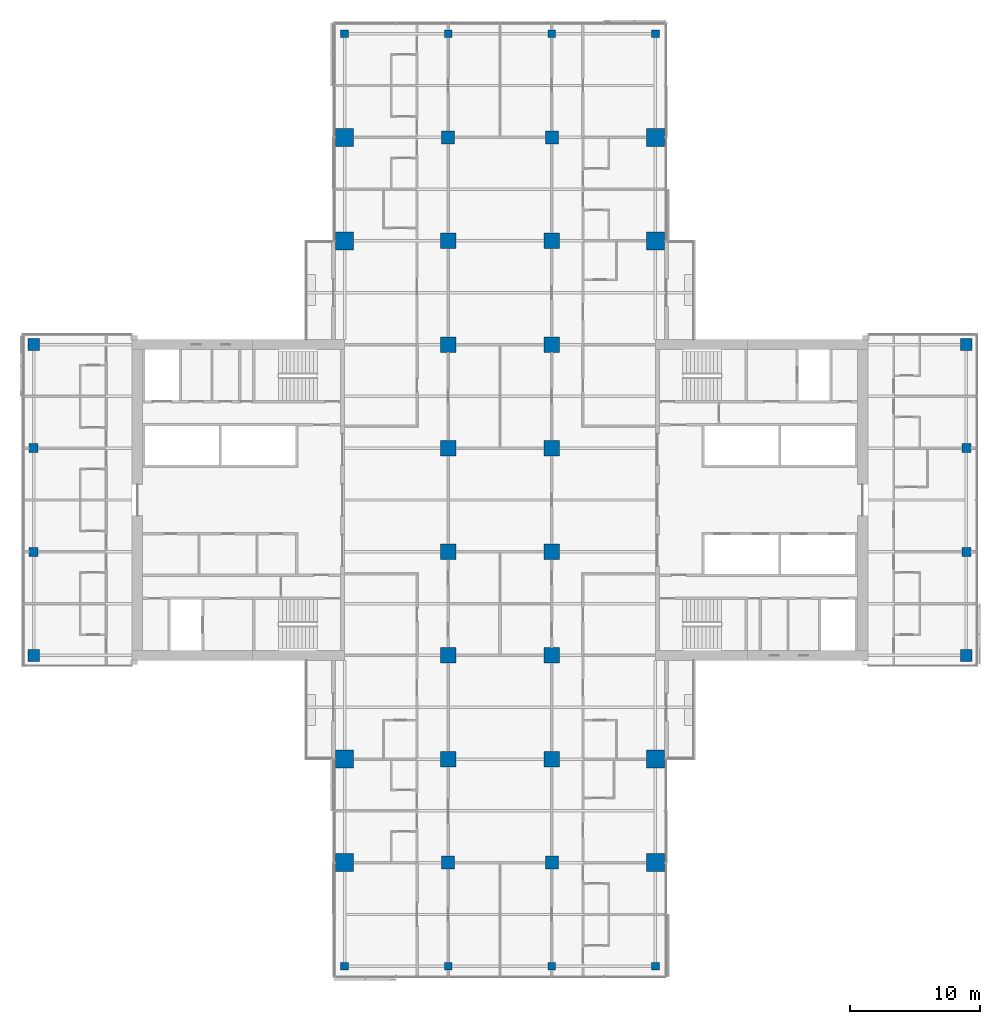
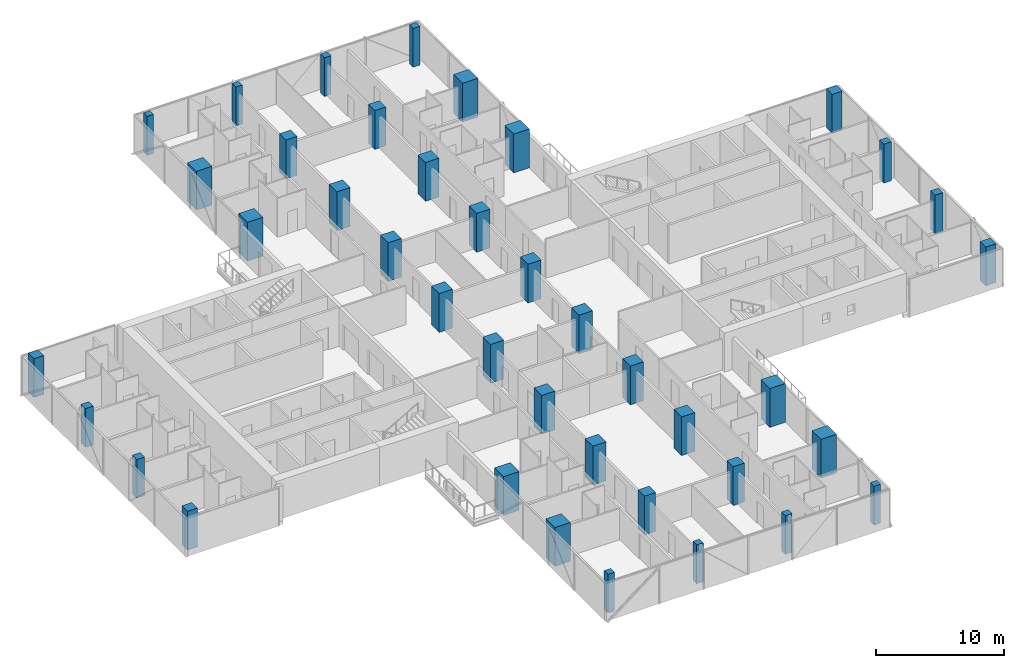
# One storey, part 1 of 27: 40 columns.
"""IFC4 building model written with IfcOpenShell, lengths in metres."""

import ifcopenshell
import ifcopenshell.guid

model = None  # the IFC model being written
_history = None  # IfcOwnerHistory: only IFC2X3 demands one
_inside = {}  # id of a spatial element -> (the spatial element, [elements in it])
_under = {}  # id of a project, library or spatial element -> (it, [spatial elements below it])
_declared = {}  # id of a project -> (the project, [libraries it declares])
_typed = {}  # id of a type object -> (the type object, [elements of that type])
_made_of = {}  # id of a material, layer set ... -> (it, [elements and type objects made of it])


def new_model(schema):
    """Start an empty IFC model of exactly this schema.

    Asked for "IFC4X3", IfcOpenShell would pick the latest addendum, in which some entities
    have other attributes; the version numbers below select the first issue.
    IFC2X3 requires an IfcOwnerHistory on every rooted entity: one is made here for all.
    """
    global model, _history
    if schema == "IFC4X3":
        model = ifcopenshell.file(schema_version=(4, 3, 0, 0))
    else:
        model = ifcopenshell.file(schema=schema)
    _inside.clear()
    _under.clear()
    _declared.clear()
    _typed.clear()
    _made_of.clear()
    _history = None
    if model.schema == "IFC2X3":
        org = make("IfcOrganization", Name="unknown")
        user = make(
            "IfcPersonAndOrganization",
            ThePerson=make("IfcPerson", FamilyName="unknown"),
            TheOrganization=org,
        )
        app = make(
            "IfcApplication",
            ApplicationDeveloper=org,
            Version="unknown",
            ApplicationFullName="unknown",
            ApplicationIdentifier="unknown",
        )
        _history = make(
            "IfcOwnerHistory",
            OwningUser=user,
            OwningApplication=app,
            ChangeAction="ADDED",
            CreationDate=0,
        )
    return model


def make(cls, **values):
    """One entity of the class cls with the attributes given. An attribute that is None is left unset."""
    return model.create_entity(
        cls, **{name: value for name, value in values.items() if value is not None}
    )


def rooted(cls, **values):
    """An entity with a GlobalId (a new one), such as an element, a storey or a relation."""
    return make(cls, GlobalId=ifcopenshell.guid.new(), OwnerHistory=_history, **values)


def si_unit(unit_type, name, prefix=None):
    """IfcSIUnit, for example si_unit("LENGTHUNIT", "METRE", prefix="MILLI")."""
    return make("IfcSIUnit", UnitType=unit_type, Prefix=prefix, Name=name)


def assignment(units):
    """IfcUnitAssignment: the units of a project."""
    return None if units is None else make("IfcUnitAssignment", Units=units)


def point(xyz):
    """IfcCartesianPoint."""
    return None if xyz is None else make("IfcCartesianPoint", Coordinates=xyz)


def direction(xyz):
    """IfcDirection."""
    return None if xyz is None else make("IfcDirection", DirectionRatios=xyz)


def frame(location, z_axis=None, x_axis=None):
    """IfcAxis2Placement3D, a coordinate frame: its origin and axes. An axis left out is left unset."""
    return make(
        "IfcAxis2Placement3D",
        Location=point(location),
        Axis=direction(z_axis),
        RefDirection=direction(x_axis),
    )


def frame_2d(location, x_axis=None):
    """IfcAxis2Placement2D, a coordinate frame in the plane: its origin and x axis."""
    return make(
        "IfcAxis2Placement2D", Location=point(location), RefDirection=direction(x_axis)
    )


def origin():
    """The frame at (0, 0, 0) with its axes left unset."""
    return frame((0.0, 0.0, 0.0))


def origin_2d():
    """The frame at (0, 0) in the plane with its x axis left unset."""
    return frame_2d((0.0, 0.0))


def place(relative_to, where):
    """IfcLocalPlacement: puts the frame where relative to a parent placement (None: the world)."""
    return make(
        "IfcLocalPlacement", PlacementRelTo=relative_to, RelativePlacement=where
    )


def context(
    kind, dimensions, precision=None, world=None, true_north=None, identifier=None
):
    """IfcGeometricRepresentationContext, for example the 3D "Model" context."""
    return make(
        "IfcGeometricRepresentationContext",
        ContextIdentifier=identifier,
        ContextType=kind,
        CoordinateSpaceDimension=dimensions,
        Precision=precision,
        WorldCoordinateSystem=world,
        TrueNorth=true_north,
    )


def subcontext(parent, identifier, kind, view, scale=None):
    """IfcGeometricRepresentationSubContext, for example "Body" below "Model"."""
    return make(
        "IfcGeometricRepresentationSubContext",
        ContextIdentifier=identifier,
        ContextType=kind,
        ParentContext=parent,
        TargetScale=scale,
        TargetView=view,
    )


def project(units=None, contexts=None):
    """IfcProject with its units and contexts."""
    return rooted(
        "IfcProject",
        Name="project",
        RepresentationContexts=contexts,
        UnitsInContext=assignment(units),
    )


def spatial(cls, under=None, at=None, **own):
    """A site, building, storey or space (cls), placed at a placement, below another one or the project."""
    s = rooted(cls, ObjectPlacement=at, **own)
    if under is not None:
        _under.setdefault(under.id(), (under, []))[1].append(s)
    return s


def profile(cls, at=None, kind="AREA", **sizes):
    """A parametric profile (cls). Its sizes go by their IFC names, for example OverallWidth=200.0."""
    return make(cls, ProfileType=kind, Position=at, **sizes)


def rectangle(**sizes):
    """IfcRectangleProfileDef."""
    return profile("IfcRectangleProfileDef", **sizes)


def extrude(swept, where, along, depth):
    """IfcExtrudedAreaSolid: the profile swept, set in the frame where, extruded along a direction by depth."""
    return make(
        "IfcExtrudedAreaSolid",
        SweptArea=swept,
        Position=where,
        ExtrudedDirection=direction(along),
        Depth=depth,
    )


def shape(context_of_items, identifier, shape_type, items):
    """IfcShapeRepresentation: the items that make up one representation, for example the "Body"."""
    return make(
        "IfcShapeRepresentation",
        ContextOfItems=context_of_items,
        RepresentationIdentifier=identifier,
        RepresentationType=shape_type,
        Items=items,
    )


def material(Name=None, Category=None):
    """IfcMaterial."""
    return make("IfcMaterial", Name=Name, Category=Category)


def material_profile(
    of_material, cross_section, Name=None, Category=None, Priority=None
):
    """IfcMaterialProfile: a cross section and its material."""
    return make(
        "IfcMaterialProfile",
        Name=Name,
        Material=of_material,
        Profile=cross_section,
        Priority=Priority,
        Category=Category,
    )


def profile_set(profiles, Name=None, composite=None):
    """IfcMaterialProfileSet."""
    return make(
        "IfcMaterialProfileSet",
        Name=Name,
        MaterialProfiles=profiles,
        CompositeProfile=composite,
    )


def made_of(thing, what):
    """Note that an element or type object is made of a material, layer set ...; save() writes the relation."""
    if what is not None:
        _made_of.setdefault(what.id(), (what, []))[1].append(thing)
    return thing


def type_object(cls, material=None, **own):
    """A type object (cls), such as IfcWallType, which elements share."""
    return made_of(rooted(cls, **own), material)


def element(
    cls,
    number,
    at=None,
    inside=None,
    cuts=None,
    type_object=None,
    material=None,
    context=None,
    identifier="Body",
    shape_type=None,
    held_by="IfcProductDefinitionShape",
    body=None,
    shapes=None,
    **own,
):
    """One element of the class cls, such as IfcWall. Its Tag is "e" and its number.

    at: its placement. inside: the storey or other place that contains it. cuts: it is an
    opening in that element (IfcRelVoidsElement). A single representation is given by context,
    identifier, shape_type and body (its items); several are given by shapes. held_by: the class
    of the entity that holds the representations. save() writes the other relations.
    """
    e = rooted(cls, Tag="e%d" % number, ObjectPlacement=at, **own)
    if body is not None:
        shapes = [shape(context, identifier, shape_type, body)]
    if shapes is not None:
        e.Representation = make(held_by, Representations=shapes)
    if inside is not None:
        _inside.setdefault(inside.id(), (inside, []))[1].append(e)
    if cuts is not None:
        rooted(
            "IfcRelVoidsElement", RelatingBuildingElement=cuts, RelatedOpeningElement=e
        )
    if type_object is not None:
        _typed.setdefault(type_object.id(), (type_object, []))[1].append(e)
    return made_of(e, material)


def aggregate(whole, parts):
    """IfcRelAggregates: a whole, such as a stair, and the parts it consists of."""
    return rooted("IfcRelAggregates", RelatingObject=whole, RelatedObjects=parts)


def save(model, path):
    """Write the relations noted so far, then the file.

    IfcRelAggregates (storeys below a building ...), IfcRelContainedInSpatialStructure (elements
    in a storey), IfcRelDefinesByType, IfcRelAssociatesMaterial and IfcRelDeclares: one each for
    every whole, place, type object, material and project.
    """
    for whole, parts in _under.values():
        aggregate(whole, parts)
    for where, things in _inside.values():
        rooted(
            "IfcRelContainedInSpatialStructure",
            RelatedElements=things,
            RelatingStructure=where,
        )
    for kind, things in _typed.values():
        rooted("IfcRelDefinesByType", RelatedObjects=things, RelatingType=kind)
    for what, things in _made_of.values():
        rooted("IfcRelAssociatesMaterial", RelatedObjects=things, RelatingMaterial=what)
    for by, libraries in _declared.values():
        rooted("IfcRelDeclares", RelatingContext=by, RelatedDefinitions=libraries)
    model.write(path)


model = new_model("IFC4")

# Units and contexts
model_context = context("Model", 3, precision=1e-05, world=origin(), true_north=direction((0.0, 1.0)))
body_context = subcontext(model_context, "Body", "Model", "MODEL_VIEW")
ifc_project = project(units=[si_unit("LENGTHUNIT", "METRE"), si_unit("AREAUNIT", "SQUARE_METRE"), si_unit("VOLUMEUNIT", "CUBIC_METRE"), si_unit("PLANEANGLEUNIT", "RADIAN"), si_unit("MASSUNIT", "GRAM", prefix="KILO")], contexts=[model_context])

# Site, building, storey
site_placement = place(None, origin())
site = spatial("IfcSite", under=ifc_project, at=site_placement, CompositionType="ELEMENT")
building_placement = place(site_placement, origin())
building = spatial("IfcBuilding", under=site, at=building_placement, Name="Crosswind Convention Tower", CompositionType="ELEMENT")
storey_placement = place(building_placement, frame((0.0, 0.0, 64.60009765625)))
storey = spatial("IfcBuildingStorey", under=building, at=storey_placement, Name="L10", CompositionType="ELEMENT", Elevation=64.60009765625)

# Columns
ifc_material_1 = material(Name="Concrete C70/85", Category="concrete")
ifc_material_profile_1 = material_profile(ifc_material_1, rectangle(XDim=1.0, YDim=1.0, at=origin_2d()), Name="RC 1000X1000")
ifc_profile_set_1 = profile_set([ifc_material_profile_1], Name="Concrete C70/85")
column_type_1 = type_object("IfcColumnType", Name="Column RC 1000X1000", PredefinedType="COLUMN", material=ifc_profile_set_1)
for number, where, z_axis, x_axis, name in (
    (1, (121.0, 72.0, 0.0), (0.0, 0.0, 1.0), (1.0, 0.0, 0.0), "C12 L10 6/C"),
    (2, (121.0, 128.0, 0.0), (0.0, 0.0, 1.0), (1.0, 0.0, 0.0), "C12 L10 6/J"),
    (3, (129.0, 72.0, 0.0), (0.0, 0.0, 1.0), (1.0, 0.0, 0.0), "C12 L10 7/C"),
    (4, (129.0, 128.0, 0.0), (0.0, 0.0, 1.0), (1.0, 0.0, 0.0), "C12 L10 7/J"),
):
    element("IfcColumn", number, at=place(storey_placement, frame(where, z_axis=z_axis, x_axis=x_axis)), inside=storey, type_object=column_type_1, Name=name, PredefinedType="COLUMN", context=body_context, shape_type="SweptSolid", body=[
        extrude(rectangle(XDim=1.0, YDim=1.0, at=origin_2d()), origin(), (0.0, 0.0, 1.0), 3.699951171875),
    ])
ifc_material_profile_2 = material_profile(ifc_material_1, rectangle(XDim=1.199951171875, YDim=1.199951171875, at=origin_2d()), Name="RC 1200X1200")
ifc_profile_set_2 = profile_set([ifc_material_profile_2], Name="Concrete C70/85")
column_type_2 = type_object("IfcColumnType", Name="Column RC 1200X1200", PredefinedType="COLUMN", material=ifc_profile_set_2)
for number, where, z_axis, x_axis, name in (
    (5, (121.0, 80.0, 0.0), (0.0, 0.0, 1.0), (1.0, 0.0, 0.0), "C11 L10 6/D"),
    (6, (121.0, 88.0, 0.0), (0.0, 0.0, 1.0), (1.0, 0.0, 0.0), "C11 L10 6/E"),
    (7, (121.0, 96.0, 0.0), (0.0, 0.0, 1.0), (1.0, 0.0, 0.0), "C11 L10 6/F"),
    (8, (121.0, 104.0, 0.0), (0.0, 0.0, 1.0), (1.0, 0.0, 0.0), "C11 L10 6/G"),
    (9, (121.0, 112.0, 0.0), (0.0, 0.0, 1.0), (1.0, 0.0, 0.0), "C11 L10 6/H"),
    (10, (121.0, 120.0, 0.0), (0.0, 0.0, 1.0), (1.0, 0.0, 0.0), "C11 L10 6/I"),
    (11, (129.0, 80.0, 0.0), (0.0, 0.0, 1.0), (1.0, 0.0, 0.0), "C11 L10 7/D"),
    (12, (129.0, 88.0, 0.0), (0.0, 0.0, 1.0), (1.0, 0.0, 0.0), "C11 L10 7/E"),
    (13, (129.0, 96.0, 0.0), (0.0, 0.0, 1.0), (1.0, 0.0, 0.0), "C11 L10 7/F"),
    (14, (129.0, 104.0, 0.0), (0.0, 0.0, 1.0), (1.0, 0.0, 0.0), "C11 L10 7/G"),
    (15, (129.0, 112.0, 0.0), (0.0, 0.0, 1.0), (1.0, 0.0, 0.0), "C11 L10 7/H"),
    (16, (129.0, 120.0, 0.0), (0.0, 0.0, 1.0), (1.0, 0.0, 0.0), "C11 L10 7/I"),
):
    element("IfcColumn", number, at=place(storey_placement, frame(where, z_axis=z_axis, x_axis=x_axis)), inside=storey, type_object=column_type_2, Name=name, PredefinedType="COLUMN", context=body_context, shape_type="SweptSolid", body=[
        extrude(rectangle(XDim=1.199951171875, YDim=1.199951171875, at=origin_2d()), origin(), (0.0, 0.0, 1.0), 3.699951171875),
    ])
ifc_material_2 = material(Name="Concrete C80/95", Category="concrete")
ifc_material_profile_3 = material_profile(ifc_material_2, rectangle(XDim=1.39990234375, YDim=1.39990234375, at=origin_2d()), Name="RC 1400X1400")
ifc_profile_set_3 = profile_set([ifc_material_profile_3], Name="Concrete C80/95")
column_type_3 = type_object("IfcColumnType", Name="Column RC 1400X1400", PredefinedType="COLUMN", material=ifc_profile_set_3)
for number, where, z_axis, x_axis, name in (
    (17, (113.0, 72.0, 0.0), (0.0, 0.0, 1.0), (1.0, 0.0, 0.0), "C10 L10 5/C"),
    (18, (113.0, 80.0, 0.0), (0.0, 0.0, 1.0), (1.0, 0.0, 0.0), "C10 L10 5/D"),
    (19, (113.0, 120.0, 0.0), (0.0, 0.0, 1.0), (1.0, 0.0, 0.0), "C10 L10 5/I"),
    (20, (113.0, 128.0, 0.0), (0.0, 0.0, 1.0), (1.0, 0.0, 0.0), "C10 L10 5/J"),
    (21, (137.0, 72.0, 0.0), (0.0, 0.0, 1.0), (1.0, 0.0, 0.0), "C10 L10 8/C"),
    (22, (137.0, 80.0, 0.0), (0.0, 0.0, 1.0), (1.0, 0.0, 0.0), "C10 L10 8/D"),
    (23, (137.0, 120.0, 0.0), (0.0, 0.0, 1.0), (1.0, 0.0, 0.0), "C10 L10 8/I"),
    (24, (137.0, 128.0, 0.0), (0.0, 0.0, 1.0), (1.0, 0.0, 0.0), "C10 L10 8/J"),
):
    element("IfcColumn", number, at=place(storey_placement, frame(where, z_axis=z_axis, x_axis=x_axis)), inside=storey, type_object=column_type_3, Name=name, PredefinedType="COLUMN", context=body_context, shape_type="SweptSolid", body=[
        extrude(rectangle(XDim=1.39990234375, YDim=1.39990234375, at=origin_2d()), origin(), (0.0, 0.0, 1.0), 3.699951171875),
    ])
ifc_material_3 = material(Name="Concrete C60/75", Category="concrete")
ifc_material_profile_4 = material_profile(ifc_material_3, rectangle(XDim=0.60009765625, YDim=0.60009765625, at=origin_2d()), Name="RC 600X600")
ifc_profile_set_4 = profile_set([ifc_material_profile_4], Name="Concrete C60/75")
column_type_4 = type_object("IfcColumnType", Name="Column RC 600X600", PredefinedType="COLUMN", material=ifc_profile_set_4)
for number, where, z_axis, x_axis, name in (
    (25, (113.0, 64.0, 0.0), (0.0, 0.0, 1.0), (1.0, 0.0, 0.0), "C16 L10 5/B"),
    (26, (113.0, 136.0, 0.0), (0.0, 0.0, 1.0), (1.0, 0.0, 0.0), "C16 L10 5/K"),
    (27, (121.0, 64.0, 0.0), (0.0, 0.0, 1.0), (1.0, 0.0, 0.0), "C16 L10 6/B"),
    (28, (121.0, 136.0, 0.0), (0.0, 0.0, 1.0), (1.0, 0.0, 0.0), "C16 L10 6/K"),
    (29, (129.0, 64.0, 0.0), (0.0, 0.0, 1.0), (1.0, 0.0, 0.0), "C16 L10 7/B"),
    (30, (129.0, 136.0, 0.0), (0.0, 0.0, 1.0), (1.0, 0.0, 0.0), "C16 L10 7/K"),
    (31, (137.0, 64.0, 0.0), (0.0, 0.0, 1.0), (1.0, 0.0, 0.0), "C16 L10 8/B"),
    (32, (137.0, 136.0, 0.0), (0.0, 0.0, 1.0), (1.0, 0.0, 0.0), "C16 L10 8/K"),
):
    element("IfcColumn", number, at=place(storey_placement, frame(where, z_axis=z_axis, x_axis=x_axis)), inside=storey, type_object=column_type_4, Name=name, PredefinedType="COLUMN", context=body_context, shape_type="SweptSolid", body=[
        extrude(rectangle(XDim=0.60009765625, YDim=0.60009765625, at=origin_2d()), origin(), (0.0, 0.0, 1.0), 3.699951171875),
    ])
ifc_material_profile_5 = material_profile(ifc_material_3, rectangle(XDim=0.699951171875, YDim=0.699951171875, at=origin_2d()), Name="RC 700X700")
ifc_profile_set_5 = profile_set([ifc_material_profile_5], Name="Concrete C60/75")
column_type_5 = type_object("IfcColumnType", Name="Column RC 700X700", PredefinedType="COLUMN", material=ifc_profile_set_5)
for number, where, z_axis, x_axis, name in (
    (33, (89.0, 96.0, 0.0), (0.0, 0.0, 1.0), (1.0, 0.0, 0.0), "C15 L10 2/F"),
    (34, (89.0, 104.0, 0.0), (0.0, 0.0, 1.0), (1.0, 0.0, 0.0), "C15 L10 2/G"),
    (35, (161.0, 96.0, 0.0), (0.0, 0.0, 1.0), (1.0, 0.0, 0.0), "C15 L10 11/F"),
    (36, (161.0, 104.0, 0.0), (0.0, 0.0, 1.0), (1.0, 0.0, 0.0), "C15 L10 11/G"),
):
    element("IfcColumn", number, at=place(storey_placement, frame(where, z_axis=z_axis, x_axis=x_axis)), inside=storey, type_object=column_type_5, Name=name, PredefinedType="COLUMN", context=body_context, shape_type="SweptSolid", body=[
        extrude(rectangle(XDim=0.699951171875, YDim=0.699951171875, at=origin_2d()), origin(), (0.0, 0.0, 1.0), 3.699951171875),
    ])
ifc_material_profile_6 = material_profile(ifc_material_3, rectangle(XDim=0.89990234375, YDim=0.89990234375, at=origin_2d()), Name="RC 900X900")
ifc_profile_set_6 = profile_set([ifc_material_profile_6], Name="Concrete C60/75")
column_type_6 = type_object("IfcColumnType", Name="Column RC 900X900", PredefinedType="COLUMN", material=ifc_profile_set_6)
for number, where, z_axis, x_axis, name in (
    (37, (89.0, 88.0, 0.0), (0.0, 0.0, 1.0), (1.0, 0.0, 0.0), "C13 L10 2/E"),
    (38, (89.0, 112.0, 0.0), (0.0, 0.0, 1.0), (1.0, 0.0, 0.0), "C13 L10 2/H"),
    (39, (161.0, 88.0, 0.0), (0.0, 0.0, 1.0), (1.0, 0.0, 0.0), "C13 L10 11/E"),
    (40, (161.0, 112.0, 0.0), (0.0, 0.0, 1.0), (1.0, 0.0, 0.0), "C13 L10 11/H"),
):
    element("IfcColumn", number, at=place(storey_placement, frame(where, z_axis=z_axis, x_axis=x_axis)), inside=storey, type_object=column_type_6, Name=name, PredefinedType="COLUMN", context=body_context, shape_type="SweptSolid", body=[
        extrude(rectangle(XDim=0.89990234375, YDim=0.89990234375, at=origin_2d()), origin(), (0.0, 0.0, 1.0), 3.699951171875),
    ])

save(model, "model.ifc")
